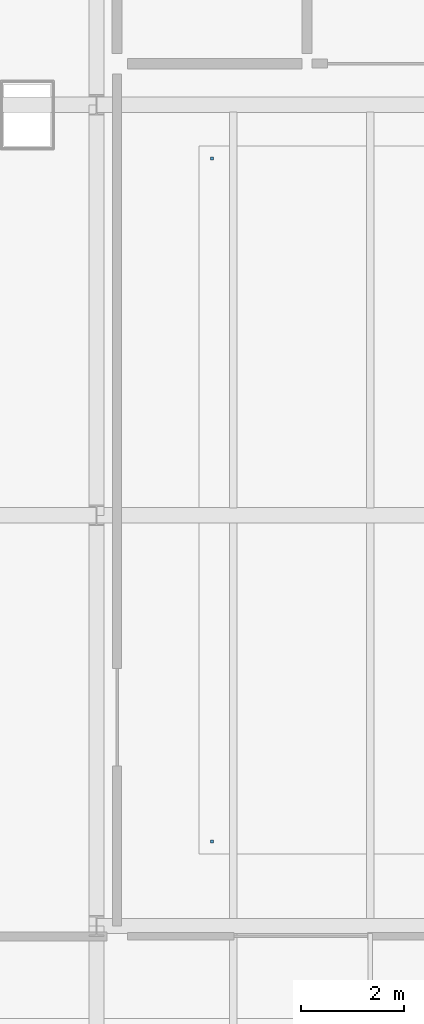
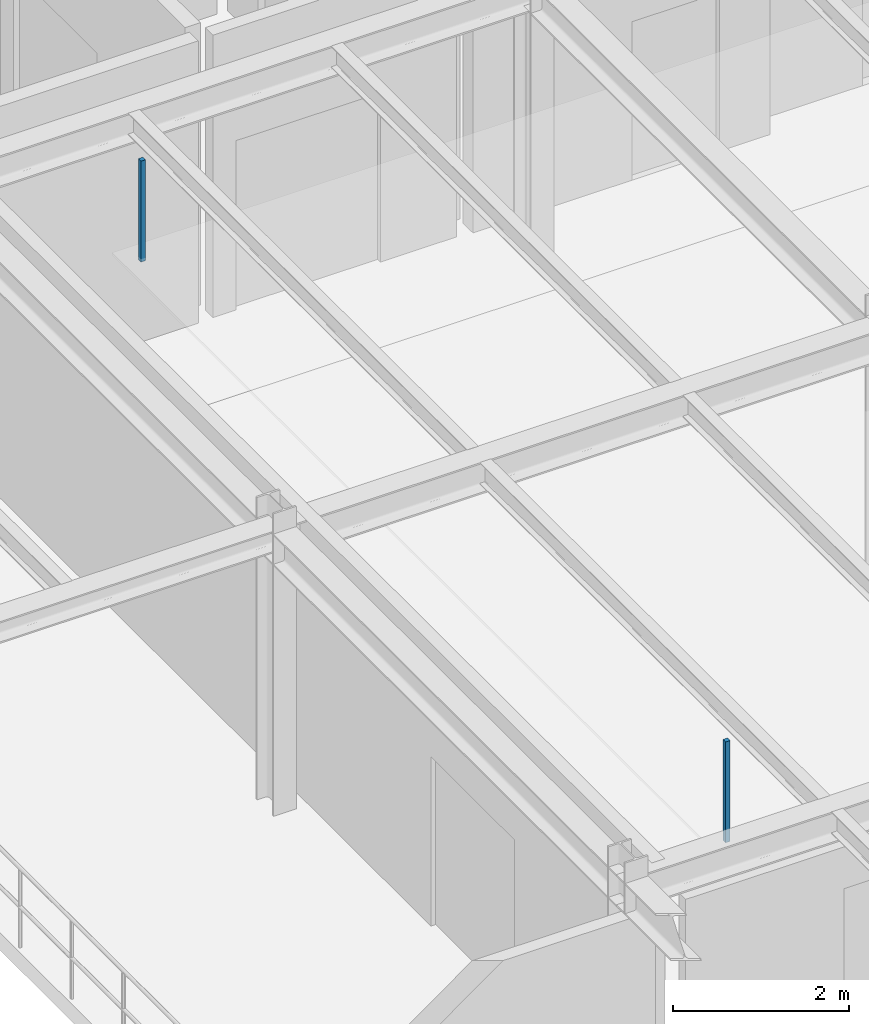
# One storey, part 52 of 67: 2 discrete accessories.
"""IFC4 building model written with IfcOpenShell, lengths in metres."""

from ifc_helpers import new_model, si_unit, direction, frame, origin, origin_2d, place, context, subcontext, project, spatial, rectangle, extrude, material, type_object, element, save


model = new_model("IFC4")

# Units and contexts
model_context = context("Model", 3, precision=1e-05, world=origin(), true_north=direction((0.0, 1.0)))
body_context = subcontext(model_context, "Body", "Model", "MODEL_VIEW")
ifc_project = project(units=[si_unit("LENGTHUNIT", "METRE"), si_unit("AREAUNIT", "SQUARE_METRE"), si_unit("VOLUMEUNIT", "CUBIC_METRE"), si_unit("PLANEANGLEUNIT", "RADIAN"), si_unit("MASSUNIT", "GRAM", prefix="KILO")], contexts=[model_context])

# Site, building, storey
site_placement = place(None, origin())
site = spatial("IfcSite", under=ifc_project, at=site_placement, CompositionType="ELEMENT")
building_placement = place(site_placement, origin())
building = spatial("IfcBuilding", under=site, at=building_placement, Name="Sundkrona Museum", CompositionType="ELEMENT")
storey_placement = place(building_placement, frame((0.0, 0.0, 21.800048828125)))
storey = spatial("IfcBuildingStorey", under=building, at=storey_placement, Name="L04", CompositionType="ELEMENT", Elevation=21.800048828125)

# Discrete accessories
ifc_material = material(Name="Stainless Steel EN 1.4404 Cleat", Category="steel")
discrete_accessory_type = type_object("IfcDiscreteAccessoryType", Name="BRK-FIN-01", PredefinedType="BRACKET", material=ifc_material)
for number, where, z_axis, x_axis, name in (
    (1, (154.25, 17.64990234375, 2.550048828125), (0.0, 0.0, 1.0), (1.0, 0.0, 0.0), "L04 Contemporary Visual Arts Gallery Ceiling Hanger 1"),
    (2, (154.25, 30.949951171875, 2.550048828125), (0.0, 0.0, 1.0), (1.0, 0.0, 0.0), "L04 Contemporary Visual Arts Gallery Ceiling Hanger 4"),
):
    element("IfcDiscreteAccessory", number, at=place(storey_placement, frame(where, z_axis=z_axis, x_axis=x_axis)), inside=storey, type_object=discrete_accessory_type, Name=name, PredefinedType="BRACKET", context=body_context, shape_type="SweptSolid", body=[
        extrude(rectangle(XDim=0.06005859375, YDim=0.06005859375, at=origin_2d()), origin(), (0.0, 0.0, 1.0), 1.39990234375),
    ])

save(model, "model.ifc")
